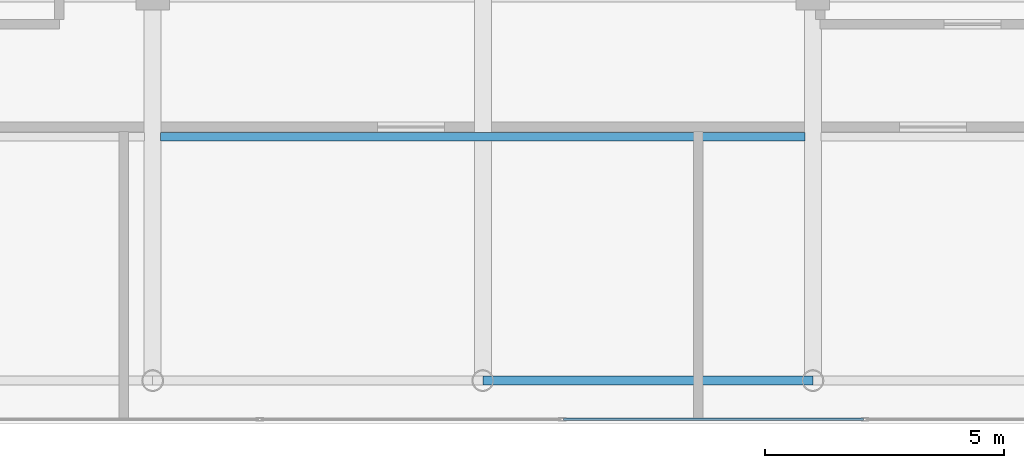
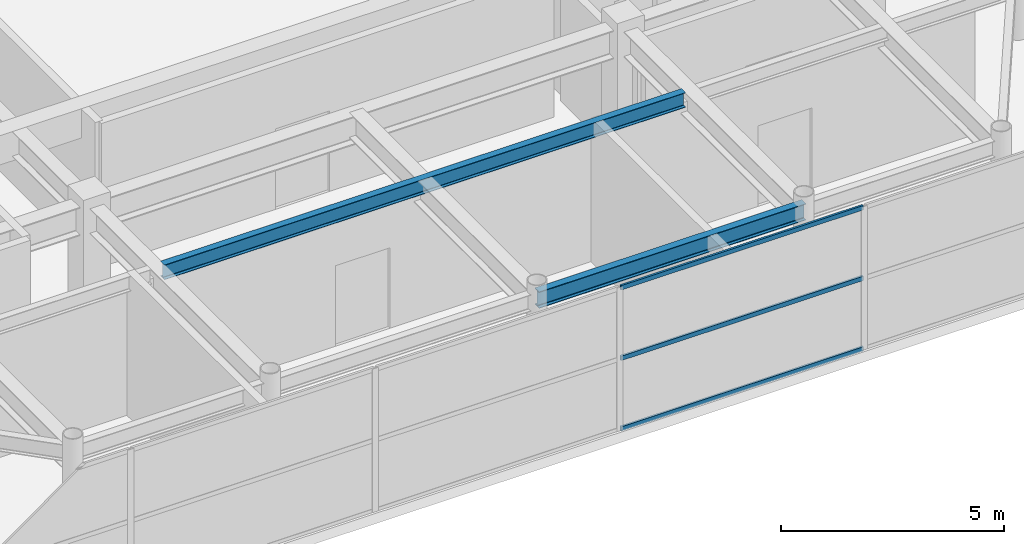
# One storey, part 8 of 33: 3 members, 2 beams, 1 element without a shape of its own.
"""IFC4 building model written with IfcOpenShell, lengths in metres."""

import ifcopenshell
import ifcopenshell.guid

model = None  # the IFC model being written
_history = None  # IfcOwnerHistory: only IFC2X3 demands one
_inside = {}  # id of a spatial element -> (the spatial element, [elements in it])
_under = {}  # id of a project, library or spatial element -> (it, [spatial elements below it])
_declared = {}  # id of a project -> (the project, [libraries it declares])
_typed = {}  # id of a type object -> (the type object, [elements of that type])
_made_of = {}  # id of a material, layer set ... -> (it, [elements and type objects made of it])


def new_model(schema):
    """Start an empty IFC model of exactly this schema.

    Asked for "IFC4X3", IfcOpenShell would pick the latest addendum, in which some entities
    have other attributes; the version numbers below select the first issue.
    IFC2X3 requires an IfcOwnerHistory on every rooted entity: one is made here for all.
    """
    global model, _history
    if schema == "IFC4X3":
        model = ifcopenshell.file(schema_version=(4, 3, 0, 0))
    else:
        model = ifcopenshell.file(schema=schema)
    _inside.clear()
    _under.clear()
    _declared.clear()
    _typed.clear()
    _made_of.clear()
    _history = None
    if model.schema == "IFC2X3":
        org = make("IfcOrganization", Name="unknown")
        user = make(
            "IfcPersonAndOrganization",
            ThePerson=make("IfcPerson", FamilyName="unknown"),
            TheOrganization=org,
        )
        app = make(
            "IfcApplication",
            ApplicationDeveloper=org,
            Version="unknown",
            ApplicationFullName="unknown",
            ApplicationIdentifier="unknown",
        )
        _history = make(
            "IfcOwnerHistory",
            OwningUser=user,
            OwningApplication=app,
            ChangeAction="ADDED",
            CreationDate=0,
        )
    return model


def make(cls, **values):
    """One entity of the class cls with the attributes given. An attribute that is None is left unset."""
    return model.create_entity(
        cls, **{name: value for name, value in values.items() if value is not None}
    )


def rooted(cls, **values):
    """An entity with a GlobalId (a new one), such as an element, a storey or a relation."""
    return make(cls, GlobalId=ifcopenshell.guid.new(), OwnerHistory=_history, **values)


def si_unit(unit_type, name, prefix=None):
    """IfcSIUnit, for example si_unit("LENGTHUNIT", "METRE", prefix="MILLI")."""
    return make("IfcSIUnit", UnitType=unit_type, Prefix=prefix, Name=name)


def assignment(units):
    """IfcUnitAssignment: the units of a project."""
    return None if units is None else make("IfcUnitAssignment", Units=units)


def point(xyz):
    """IfcCartesianPoint."""
    return None if xyz is None else make("IfcCartesianPoint", Coordinates=xyz)


def direction(xyz):
    """IfcDirection."""
    return None if xyz is None else make("IfcDirection", DirectionRatios=xyz)


def frame(location, z_axis=None, x_axis=None):
    """IfcAxis2Placement3D, a coordinate frame: its origin and axes. An axis left out is left unset."""
    return make(
        "IfcAxis2Placement3D",
        Location=point(location),
        Axis=direction(z_axis),
        RefDirection=direction(x_axis),
    )


def frame_2d(location, x_axis=None):
    """IfcAxis2Placement2D, a coordinate frame in the plane: its origin and x axis."""
    return make(
        "IfcAxis2Placement2D", Location=point(location), RefDirection=direction(x_axis)
    )


def origin():
    """The frame at (0, 0, 0) with its axes left unset."""
    return frame((0.0, 0.0, 0.0))


def origin_2d():
    """The frame at (0, 0) in the plane with its x axis left unset."""
    return frame_2d((0.0, 0.0))


def place(relative_to, where):
    """IfcLocalPlacement: puts the frame where relative to a parent placement (None: the world)."""
    return make(
        "IfcLocalPlacement", PlacementRelTo=relative_to, RelativePlacement=where
    )


def context(
    kind, dimensions, precision=None, world=None, true_north=None, identifier=None
):
    """IfcGeometricRepresentationContext, for example the 3D "Model" context."""
    return make(
        "IfcGeometricRepresentationContext",
        ContextIdentifier=identifier,
        ContextType=kind,
        CoordinateSpaceDimension=dimensions,
        Precision=precision,
        WorldCoordinateSystem=world,
        TrueNorth=true_north,
    )


def subcontext(parent, identifier, kind, view, scale=None):
    """IfcGeometricRepresentationSubContext, for example "Body" below "Model"."""
    return make(
        "IfcGeometricRepresentationSubContext",
        ContextIdentifier=identifier,
        ContextType=kind,
        ParentContext=parent,
        TargetScale=scale,
        TargetView=view,
    )


def project(units=None, contexts=None):
    """IfcProject with its units and contexts."""
    return rooted(
        "IfcProject",
        Name="project",
        RepresentationContexts=contexts,
        UnitsInContext=assignment(units),
    )


def spatial(cls, under=None, at=None, **own):
    """A site, building, storey or space (cls), placed at a placement, below another one or the project."""
    s = rooted(cls, ObjectPlacement=at, **own)
    if under is not None:
        _under.setdefault(under.id(), (under, []))[1].append(s)
    return s


def profile(cls, at=None, kind="AREA", **sizes):
    """A parametric profile (cls). Its sizes go by their IFC names, for example OverallWidth=200.0."""
    return make(cls, ProfileType=kind, Position=at, **sizes)


def hollow_rectangle(**sizes):
    """IfcRectangleHollowProfileDef."""
    return profile("IfcRectangleHollowProfileDef", **sizes)


def i_section(**sizes):
    """IfcIShapeProfileDef."""
    return profile("IfcIShapeProfileDef", **sizes)


def extrude(swept, where, along, depth):
    """IfcExtrudedAreaSolid: the profile swept, set in the frame where, extruded along a direction by depth."""
    return make(
        "IfcExtrudedAreaSolid",
        SweptArea=swept,
        Position=where,
        ExtrudedDirection=direction(along),
        Depth=depth,
    )


def shape(context_of_items, identifier, shape_type, items):
    """IfcShapeRepresentation: the items that make up one representation, for example the "Body"."""
    return make(
        "IfcShapeRepresentation",
        ContextOfItems=context_of_items,
        RepresentationIdentifier=identifier,
        RepresentationType=shape_type,
        Items=items,
    )


def source(mapping_origin, context_of_items, identifier, shape_type, items):
    """IfcRepresentationMap: a shape defined once, which mapped items show again and again."""
    return make(
        "IfcRepresentationMap",
        MappingOrigin=mapping_origin,
        MappedRepresentation=shape(context_of_items, identifier, shape_type, items),
    )


def transform(
    local_origin,
    x_axis=None,
    y_axis=None,
    z_axis=None,
    scale=None,
    scale2=None,
    scale3=None,
    uniform=True,
):
    """IfcCartesianTransformationOperator3D, or its non-uniform kind. x_axis, y_axis, z_axis: its Axis1, 2, 3."""
    if uniform:
        return make(
            "IfcCartesianTransformationOperator3D",
            Axis1=direction(x_axis),
            Axis2=direction(y_axis),
            LocalOrigin=point(local_origin),
            Scale=scale,
            Axis3=direction(z_axis),
        )
    return make(
        "IfcCartesianTransformationOperator3DnonUniform",
        Axis1=direction(x_axis),
        Axis2=direction(y_axis),
        LocalOrigin=point(local_origin),
        Scale=scale,
        Axis3=direction(z_axis),
        Scale2=scale2,
        Scale3=scale3,
    )


def mapped(mapping_source, mapping_target):
    """IfcMappedItem: shows the shape of a source again, moved by a transform."""
    return make(
        "IfcMappedItem", MappingSource=mapping_source, MappingTarget=mapping_target
    )


def material(Name=None, Category=None):
    """IfcMaterial."""
    return make("IfcMaterial", Name=Name, Category=Category)


def layer(
    of_material, thickness, ventilated=None, Name=None, Category=None, Priority=None
):
    """IfcMaterialLayer: one layer of a wall or slab, of a material (None: an air gap)."""
    return make(
        "IfcMaterialLayer",
        Material=of_material,
        LayerThickness=thickness,
        IsVentilated=ventilated,
        Name=Name,
        Category=Category,
        Priority=Priority,
    )


def layer_set(layers, Name=None):
    """IfcMaterialLayerSet."""
    return make("IfcMaterialLayerSet", MaterialLayers=layers, LayerSetName=Name)


def material_profile(
    of_material, cross_section, Name=None, Category=None, Priority=None
):
    """IfcMaterialProfile: a cross section and its material."""
    return make(
        "IfcMaterialProfile",
        Name=Name,
        Material=of_material,
        Profile=cross_section,
        Priority=Priority,
        Category=Category,
    )


def profile_set(profiles, Name=None, composite=None):
    """IfcMaterialProfileSet."""
    return make(
        "IfcMaterialProfileSet",
        Name=Name,
        MaterialProfiles=profiles,
        CompositeProfile=composite,
    )


def made_of(thing, what):
    """Note that an element or type object is made of a material, layer set ...; save() writes the relation."""
    if what is not None:
        _made_of.setdefault(what.id(), (what, []))[1].append(thing)
    return thing


def type_object(cls, material=None, **own):
    """A type object (cls), such as IfcWallType, which elements share."""
    return made_of(rooted(cls, **own), material)


def element(
    cls,
    number,
    at=None,
    inside=None,
    cuts=None,
    type_object=None,
    material=None,
    context=None,
    identifier="Body",
    shape_type=None,
    held_by="IfcProductDefinitionShape",
    body=None,
    shapes=None,
    **own,
):
    """One element of the class cls, such as IfcWall. Its Tag is "e" and its number.

    at: its placement. inside: the storey or other place that contains it. cuts: it is an
    opening in that element (IfcRelVoidsElement). A single representation is given by context,
    identifier, shape_type and body (its items); several are given by shapes. held_by: the class
    of the entity that holds the representations. save() writes the other relations.
    """
    e = rooted(cls, Tag="e%d" % number, ObjectPlacement=at, **own)
    if body is not None:
        shapes = [shape(context, identifier, shape_type, body)]
    if shapes is not None:
        e.Representation = make(held_by, Representations=shapes)
    if inside is not None:
        _inside.setdefault(inside.id(), (inside, []))[1].append(e)
    if cuts is not None:
        rooted(
            "IfcRelVoidsElement", RelatingBuildingElement=cuts, RelatedOpeningElement=e
        )
    if type_object is not None:
        _typed.setdefault(type_object.id(), (type_object, []))[1].append(e)
    return made_of(e, material)


def aggregate(whole, parts):
    """IfcRelAggregates: a whole, such as a stair, and the parts it consists of."""
    return rooted("IfcRelAggregates", RelatingObject=whole, RelatedObjects=parts)


def save(model, path):
    """Write the relations noted so far, then the file.

    IfcRelAggregates (storeys below a building ...), IfcRelContainedInSpatialStructure (elements
    in a storey), IfcRelDefinesByType, IfcRelAssociatesMaterial and IfcRelDeclares: one each for
    every whole, place, type object, material and project.
    """
    for whole, parts in _under.values():
        aggregate(whole, parts)
    for where, things in _inside.values():
        rooted(
            "IfcRelContainedInSpatialStructure",
            RelatedElements=things,
            RelatingStructure=where,
        )
    for kind, things in _typed.values():
        rooted("IfcRelDefinesByType", RelatedObjects=things, RelatingType=kind)
    for what, things in _made_of.values():
        rooted("IfcRelAssociatesMaterial", RelatedObjects=things, RelatingMaterial=what)
    for by, libraries in _declared.values():
        rooted("IfcRelDeclares", RelatingContext=by, RelatedDefinitions=libraries)
    model.write(path)


model = new_model("IFC4")

# Units and contexts
model_context = context("Model", 3, precision=1e-05, world=origin(), true_north=direction((0.0, 1.0)))
body_context = subcontext(model_context, "Body", "Model", "MODEL_VIEW")
ifc_project = project(units=[si_unit("LENGTHUNIT", "METRE"), si_unit("AREAUNIT", "SQUARE_METRE"), si_unit("VOLUMEUNIT", "CUBIC_METRE"), si_unit("PLANEANGLEUNIT", "RADIAN"), si_unit("MASSUNIT", "GRAM", prefix="KILO")], contexts=[model_context])

# Site, building, storey
site_placement = place(None, origin())
site = spatial("IfcSite", under=ifc_project, at=site_placement, CompositionType="ELEMENT")
building_placement = place(site_placement, origin())
building = spatial("IfcBuilding", under=site, at=building_placement, Name="Khoralis Quay Care Tower", CompositionType="ELEMENT")
storey_placement = place(building_placement, frame((0.0, 0.0, 302.10009765625)))
storey = spatial("IfcBuildingStorey", under=building, at=storey_placement, Name="L79", CompositionType="ELEMENT", Elevation=302.10009765625)

# Beams
ifc_material_1 = material(Name="Steel S355", Category="steel")
ifc_material_profile_1 = material_profile(ifc_material_1, i_section(OverallWidth=0.18994140625, OverallDepth=0.449951171875, WebThickness=0.009521484375, FlangeThickness=0.0146484375, FilletRadius=0.02099609375, at=origin_2d()), Name="Steel S355")
ifc_profile_set_1 = profile_set([ifc_material_profile_1], Name="Steel S355")
beam_type_1 = type_object("IfcBeamType", Name="BM-IPE450", PredefinedType="SPANDREL", material=ifc_profile_set_1)
shared_shape_1 = source(origin(), body_context, "Body", "SweptSolid", [
    extrude(i_section(OverallWidth=0.18994140625, OverallDepth=0.449951171875, WebThickness=0.009521484375, FlangeThickness=0.0146484375, FilletRadius=0.02099609375, at=origin_2d()), origin(), (0.0, 0.0, 1.0), 6.89990234375),
])
beam_1_placement = place(storey_placement, frame((24.0, 3.89990234375, 3.69482421875), z_axis=(1.0, 0.0, 0.0), x_axis=(0.0, 1.0, 0.0)))
element("IfcBeam", 1, at=beam_1_placement, inside=storey, type_object=beam_type_1, Name="BM-TSP-L79-03", PredefinedType="SPANDREL", context=body_context, shape_type="MappedRepresentation", body=[
    mapped(shared_shape_1, transform((0.0, 0.0, 0.0), scale=1.0)),
])
ifc_material_profile_2 = material_profile(ifc_material_1, i_section(OverallWidth=0.177978515625, OverallDepth=0.406982421875, WebThickness=0.0078125, FlangeThickness=0.0126953125, FilletRadius=0.012939453125, at=origin_2d()), Name="Steel S355")
ifc_profile_set_2 = profile_set([ifc_material_profile_2], Name="Steel S355")
beam_type_2 = type_object("IfcBeamType", Name="BM-W410X60", PredefinedType="JOIST", material=ifc_profile_set_2)
shared_shape_2 = source(origin(), body_context, "Body", "SweptSolid", [
    extrude(i_section(OverallWidth=0.177978515625, OverallDepth=0.406982421875, WebThickness=0.0078125, FlangeThickness=0.0126953125, FilletRadius=0.012939453125, at=origin_2d()), origin(), (0.0, 0.0, 1.0), 13.46923828125),
])
beam_2_placement = place(storey_placement, frame((17.265380859375, 9.0, 3.71630859375), z_axis=(1.0, 0.0, 0.0), x_axis=(0.0, 1.0, 0.0)))
element("IfcBeam", 2, at=beam_2_placement, inside=storey, type_object=beam_type_2, Name="BM-TJS-L79-23", PredefinedType="JOIST", context=body_context, shape_type="MappedRepresentation", body=[
    mapped(shared_shape_2, transform((0.0, 0.0, 0.0), scale=1.0)),
])

# Curtain wall, members
ifc_material_2 = material(Name="Pale anodised aluminium", Category="aluminium")
ifc_layer = layer(ifc_material_2, 0.199951171875)
ifc_layer_set = layer_set([ifc_layer], Name="Pale anodised aluminium")
curtain_wall_type = type_object("IfcCurtainWallType", Name="CW-SYS-LANTERN", PredefinedType="NOTDEFINED", material=ifc_layer_set)
curtain_wall_placement = place(storey_placement, origin())
curtain_wall = element("IfcCurtainWall", 3, at=curtain_wall_placement, inside=storey, type_object=curtain_wall_type, Name="L79 Unitised Curtain Wall CW-LN-L79-01", PredefinedType="NOTDEFINED")
ifc_material_profile_3 = material_profile(ifc_material_2, hollow_rectangle(XDim=0.054931640625, YDim=0.1201171875, WallThickness=0.00390625, at=origin_2d()), Name="Pale anodised aluminium")
ifc_profile_set_3 = profile_set([ifc_material_profile_3], Name="Pale anodised aluminium")
member_type = type_object("IfcMemberType", Name="CW-TRN-120", PredefinedType="USERDEFINED", material=ifc_profile_set_3)
shared_shape_3 = source(origin(), body_context, "Body", "SweptSolid", [
    extrude(hollow_rectangle(XDim=0.054931640625, YDim=0.1201171875, WallThickness=0.00390625, at=origin_2d()), origin(), (0.0, 0.0, 1.0), 6.26416015625),
])
member_1_placement = place(storey_placement, frame((25.69189453125, 3.090087890625, 0.02978515625), z_axis=(1.0, 0.0, 0.0), x_axis=(0.0, 1.0, 0.0)))
member_1 = element("IfcMember", 4, at=member_1_placement, type_object=member_type, Name="CW5 transom 4.1", ObjectType="TRANSOM", PredefinedType="USERDEFINED", context=body_context, shape_type="MappedRepresentation", body=[
    mapped(shared_shape_3, transform((0.0, 0.0, 0.0), scale=1.0)),
])
member_2_placement = place(storey_placement, frame((25.69189453125, 3.090087890625, 1.9599609375), z_axis=(1.0, 0.0, 0.0), x_axis=(0.0, 1.0, 0.0)))
member_2 = element("IfcMember", 5, at=member_2_placement, type_object=member_type, Name="CW5 transom 4.2", ObjectType="TRANSOM", PredefinedType="USERDEFINED", context=body_context, shape_type="MappedRepresentation", body=[
    mapped(shared_shape_3, transform((0.0, 0.0, 0.0), scale=1.0)),
])
member_3_placement = place(storey_placement, frame((25.69189453125, 3.090087890625, 3.889892578125), z_axis=(1.0, 0.0, 0.0), x_axis=(0.0, 1.0, 0.0)))
member_3 = element("IfcMember", 6, at=member_3_placement, type_object=member_type, Name="CW5 transom 4.3", ObjectType="TRANSOM", PredefinedType="USERDEFINED", context=body_context, shape_type="MappedRepresentation", body=[
    mapped(shared_shape_3, transform((0.0, 0.0, 0.0), scale=1.0)),
])
aggregate(curtain_wall, [member_1, member_2, member_3])

save(model, "model.ifc")
